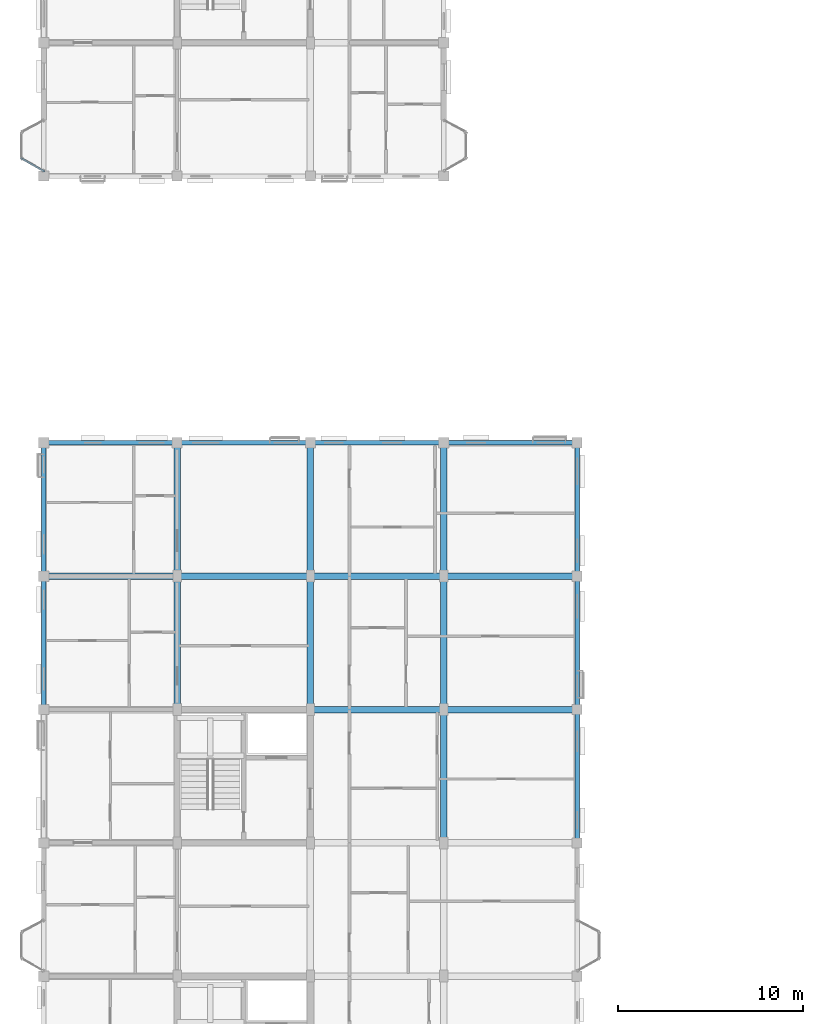
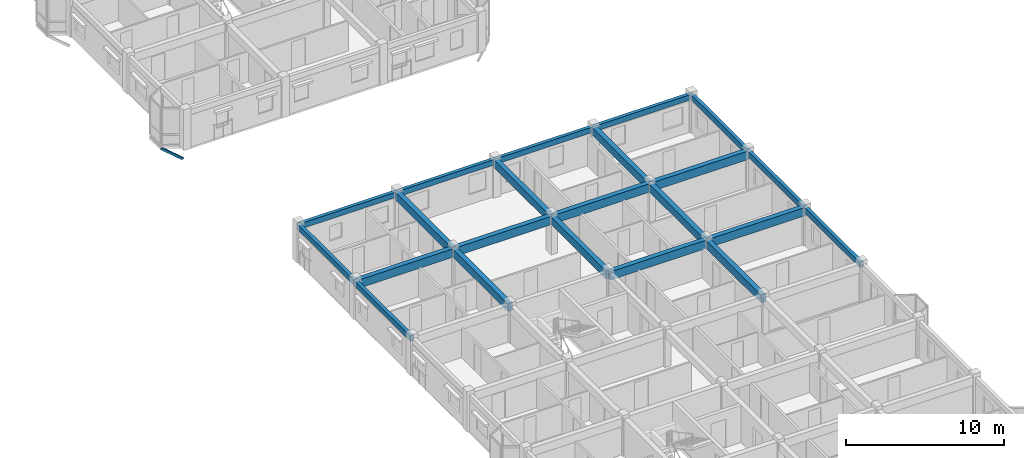
# One storey, part 12 of 79: 22 beams, 1 member.
"""IFC4 building model written with IfcOpenShell, lengths in metres."""

from ifc_helpers import new_model, si_unit, direction, frame, origin, origin_2d, place, context, subcontext, project, spatial, rectangle, hollow_rectangle, extrude, material, material_profile, profile_set, type_object, element, save


model = new_model("IFC4")

# Units and contexts
model_context = context("Model", 3, precision=1e-05, world=origin(), true_north=direction((0.0, 1.0)))
body_context = subcontext(model_context, "Body", "Model", "MODEL_VIEW")
ifc_project = project(units=[si_unit("LENGTHUNIT", "METRE"), si_unit("AREAUNIT", "SQUARE_METRE"), si_unit("VOLUMEUNIT", "CUBIC_METRE"), si_unit("PLANEANGLEUNIT", "RADIAN"), si_unit("MASSUNIT", "GRAM", prefix="KILO"), si_unit("THERMODYNAMICTEMPERATUREUNIT", "KELVIN"), si_unit("POWERUNIT", "WATT")], contexts=[model_context])

# Site, building, storey
site_placement = place(None, origin())
site = spatial("IfcSite", under=ifc_project, at=site_placement, CompositionType="ELEMENT")
building_placement = place(site_placement, origin())
building = spatial("IfcBuilding", under=site, at=building_placement, Name="Tavuni Mirador Residences", CompositionType="ELEMENT")
storey_placement = place(building_placement, frame((0.0, 0.0, 13.949951171875)))
storey = spatial("IfcBuildingStorey", under=building, at=storey_placement, Name="L04", CompositionType="ELEMENT", Elevation=13.949951171875)

# Beams
ifc_material_1 = material(Name="Precast concrete C40/50", Category="concrete")
ifc_material_profile_1 = material_profile(ifc_material_1, rectangle(XDim=0.35009765625, YDim=0.60009765625, at=origin_2d()), Name="PC 350x600", Category="concrete")
ifc_profile_set_1 = profile_set([ifc_material_profile_1], Name="Precast concrete C40/50")
beam_type_1 = type_object("IfcBeamType", Name="BT-B600", PredefinedType="BEAM", material=ifc_profile_set_1)
for number, where, z_axis, x_axis, name in (
    (1, (10.800048828125, 36.0, 2.570068359375), (0.0, 1.0, 0.0), (-1.0, 0.0, 0.0), "BMY-BLK-A-L04-01-04"),
    (2, (10.800048828125, 43.199951171875, 2.570068359375), (0.0, 1.0, 0.0), (-1.0, 0.0, 0.0), "BMY-BLK-A-L04-01-05"),
    (3, (18.0, 36.0, 2.570068359375), (0.0, 1.0, 0.0), (-1.0, 0.0, 0.0), "BMY-BLK-A-L04-02-04"),
    (4, (18.0, 43.199951171875, 2.570068359375), (0.0, 1.0, 0.0), (-1.0, 0.0, 0.0), "BMY-BLK-A-L04-02-05"),
    (5, (25.199951171875, 28.800048828125, 2.570068359375), (0.0, 1.0, 0.0), (-1.0, 0.0, 0.0), "BMY-BLK-A-L04-03-03"),
    (6, (25.199951171875, 36.0, 2.570068359375), (0.0, 1.0, 0.0), (-1.0, 0.0, 0.0), "BMY-BLK-A-L04-03-04"),
    (7, (25.199951171875, 43.199951171875, 2.570068359375), (0.0, 1.0, 0.0), (-1.0, 0.0, 0.0), "BMY-BLK-A-L04-03-05"),
):
    element("IfcBeam", number, at=place(storey_placement, frame(where, z_axis=z_axis, x_axis=x_axis)), inside=storey, type_object=beam_type_1, Name=name, PredefinedType="BEAM", context=body_context, shape_type="SweptSolid", body=[
        extrude(rectangle(XDim=0.35009765625, YDim=0.60009765625, at=origin_2d()), origin(), (0.0, 0.0, 1.0), 7.199951171875),
    ])
ifc_material_profile_2 = material_profile(ifc_material_1, rectangle(XDim=0.35009765625, YDim=0.64990234375, at=origin_2d()), Name="PC 350x650", Category="concrete")
ifc_profile_set_2 = profile_set([ifc_material_profile_2], Name="Precast concrete C40/50")
beam_type_2 = type_object("IfcBeamType", Name="BT-B650", PredefinedType="BEAM", material=ifc_profile_set_2)
for number, where, z_axis, x_axis, name in (
    (8, (18.0, 36.0, 2.545166015625), (1.0, 0.0, 0.0), (0.0, 1.0, 0.0), "BMX-BLK-A-L04-02-04"),
    (9, (25.199951171875, 36.0, 2.545166015625), (1.0, 0.0, 0.0), (0.0, 1.0, 0.0), "BMX-BLK-A-L04-03-04"),
    (10, (3.60009765625, 43.199951171875, 2.545166015625), (1.0, 0.0, 0.0), (0.0, 1.0, 0.0), "BMX-BLK-A-L04-00-05"),
    (11, (10.800048828125, 43.199951171875, 2.545166015625), (1.0, 0.0, 0.0), (0.0, 1.0, 0.0), "BMX-BLK-A-L04-01-05"),
    (12, (18.0, 43.199951171875, 2.545166015625), (1.0, 0.0, 0.0), (0.0, 1.0, 0.0), "BMX-BLK-A-L04-02-05"),
    (13, (25.199951171875, 43.199951171875, 2.545166015625), (1.0, 0.0, 0.0), (0.0, 1.0, 0.0), "BMX-BLK-A-L04-03-05"),
):
    element("IfcBeam", number, at=place(storey_placement, frame(where, z_axis=z_axis, x_axis=x_axis)), inside=storey, type_object=beam_type_2, Name=name, PredefinedType="BEAM", context=body_context, shape_type="SweptSolid", body=[
        extrude(rectangle(XDim=0.35009765625, YDim=0.64990234375, at=origin_2d()), origin(), (0.0, 0.0, 1.0), 7.199951171875),
    ])
ifc_material_profile_3 = material_profile(ifc_material_1, rectangle(XDim=0.25, YDim=0.419921875, at=origin_2d()), Name="PC 250x420", Category="concrete")
ifc_profile_set_3 = profile_set([ifc_material_profile_3], Name="Precast concrete C40/50")
beam_type_3 = type_object("IfcBeamType", Name="BT-SP420", PredefinedType="SPANDREL", material=ifc_profile_set_3)
for number, where, z_axis, x_axis, name in (
    (14, (3.60009765625, 50.39990234375, 2.66015625), (1.0, 0.0, 0.0), (0.0, 1.0, 0.0), "BMX-BLK-A-L04-00-06"),
    (15, (10.800048828125, 50.39990234375, 2.66015625), (1.0, 0.0, 0.0), (0.0, 1.0, 0.0), "BMX-BLK-A-L04-01-06"),
    (16, (18.0, 50.39990234375, 2.66015625), (1.0, 0.0, 0.0), (0.0, 1.0, 0.0), "BMX-BLK-A-L04-02-06"),
    (17, (25.199951171875, 50.39990234375, 2.66015625), (1.0, 0.0, 0.0), (0.0, 1.0, 0.0), "BMX-BLK-A-L04-03-06"),
    (18, (3.60009765625, 36.0, 2.66015625), (0.0, 1.0, 0.0), (-1.0, 0.0, 0.0), "BMY-BLK-A-L04-00-04"),
    (19, (3.60009765625, 43.199951171875, 2.66015625), (0.0, 1.0, 0.0), (-1.0, 0.0, 0.0), "BMY-BLK-A-L04-00-05"),
    (20, (32.39990234375, 28.800048828125, 2.66015625), (0.0, 1.0, 0.0), (-1.0, 0.0, 0.0), "BMY-BLK-A-L04-04-03"),
    (21, (32.39990234375, 36.0, 2.66015625), (0.0, 1.0, 0.0), (-1.0, 0.0, 0.0), "BMY-BLK-A-L04-04-04"),
    (22, (32.39990234375, 43.199951171875, 2.66015625), (0.0, 1.0, 0.0), (-1.0, 0.0, 0.0), "BMY-BLK-A-L04-04-05"),
):
    element("IfcBeam", number, at=place(storey_placement, frame(where, z_axis=z_axis, x_axis=x_axis)), inside=storey, type_object=beam_type_3, Name=name, PredefinedType="SPANDREL", context=body_context, shape_type="SweptSolid", body=[
        extrude(rectangle(XDim=0.25, YDim=0.419921875, at=origin_2d()), origin(), (0.0, 0.0, 1.0), 7.199951171875),
    ])

# Member
ifc_material_2 = material(Name="Structural steel S355", Category="steel")
ifc_material_profile_4 = material_profile(ifc_material_2, hollow_rectangle(XDim=0.10009765625, YDim=0.179931640625, WallThickness=0.008056640625, at=origin_2d()), Name="RHS 180x100x8.0", Category="steel")
ifc_profile_set_4 = profile_set([ifc_material_profile_4], Name="Structural steel S355")
member_type = type_object("IfcMemberType", Name="MT-BR-RHS180", PredefinedType="BRACE", material=ifc_profile_set_4)
member_placement = place(storey_placement, frame((3.60009765625, 65.074951171875, -1.050048828125), z_axis=(-0.749249090491, 0.427663333588, 0.505697412988), x_axis=(-0.495720321961, -0.868482217662, 0.0)))
element("IfcMember", 23, at=member_placement, inside=storey, type_object=member_type, Name="MBRK-MIR-B-W1-L04-1", PredefinedType="BRACE", context=body_context, shape_type="SweptSolid", body=[
    extrude(hollow_rectangle(XDim=0.10009765625, YDim=0.179931640625, WallThickness=0.008056640625, at=origin_2d()), origin(), (0.0, 0.0, 1.0), 1.601806640625),
])

save(model, "model.ifc")
